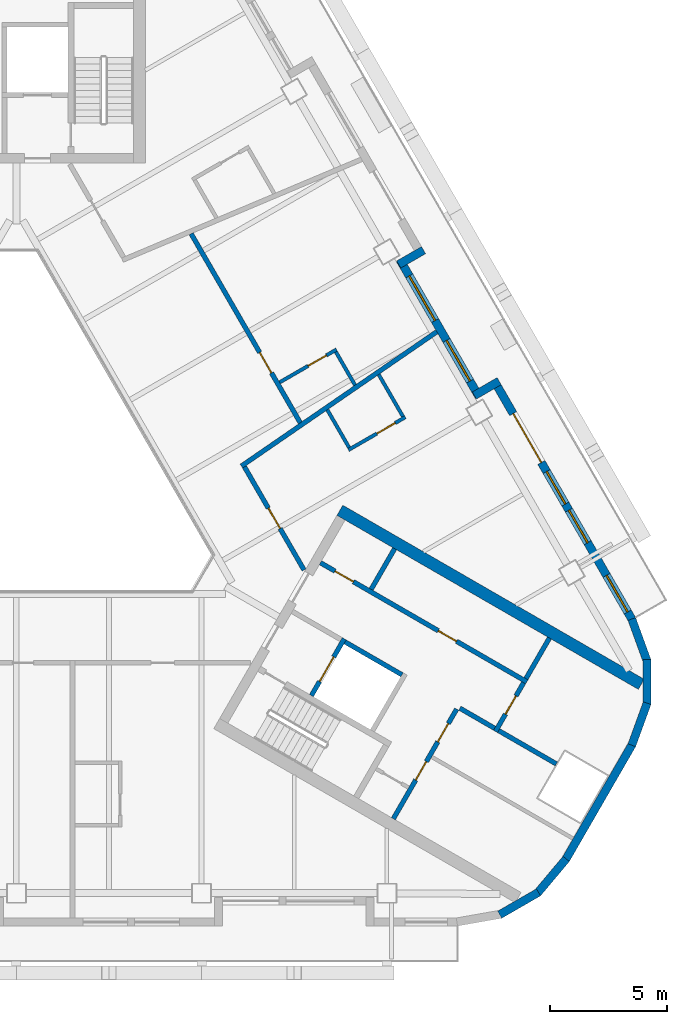
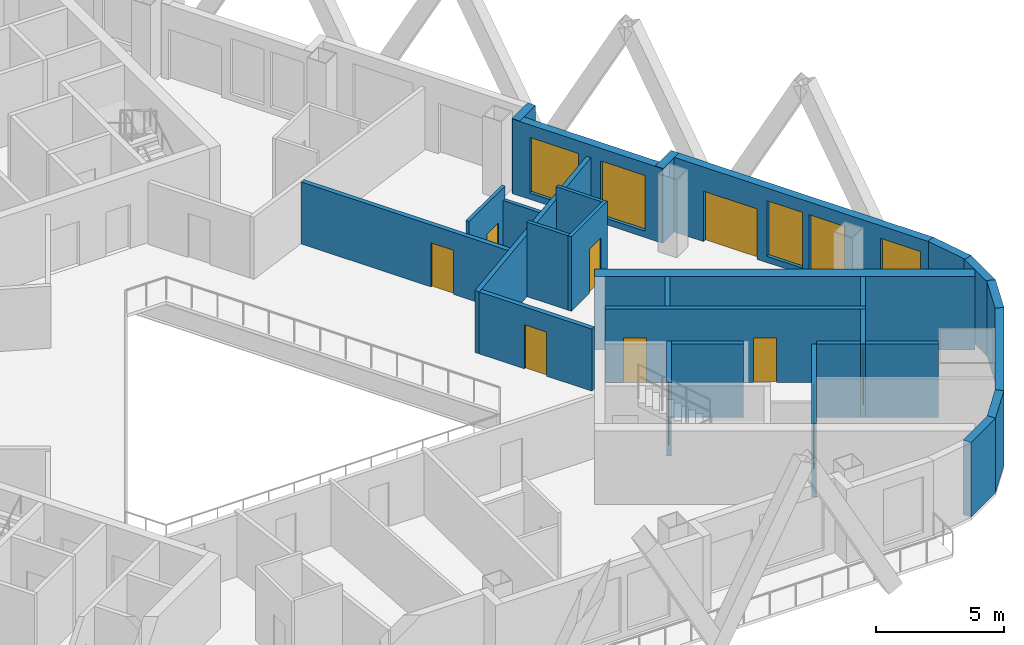
# One storey, part 5 of 13: 28 walls, 11 doors, 5 windows, 16 openings.
"""IFC4 building model written with IfcOpenShell, lengths in metres."""

from ifc_helpers import new_model, si_unit, direction, frame, frame_2d, origin, place, context, subcontext, project, spatial, rectangle, extrude, material, layer, layer_set, type_object, element, fill, save


model = new_model("IFC4")

# Units and contexts
model_context = context("Model", 3, precision=1e-05, world=origin(), true_north=direction((0.0, 1.0)))
body_context = subcontext(model_context, "Body", "Model", "MODEL_VIEW")
ifc_project = project(units=[si_unit("LENGTHUNIT", "METRE"), si_unit("AREAUNIT", "SQUARE_METRE"), si_unit("VOLUMEUNIT", "CUBIC_METRE"), si_unit("PLANEANGLEUNIT", "RADIAN"), si_unit("MASSUNIT", "GRAM", prefix="KILO")], contexts=[model_context])

# Site, building, storey
site_placement = place(None, origin())
site = spatial("IfcSite", under=ifc_project, at=site_placement, CompositionType="ELEMENT")
building_placement = place(site_placement, origin())
building = spatial("IfcBuilding", under=site, at=building_placement, Name="Apuvela Tower Hotel", CompositionType="ELEMENT")
storey_placement = place(building_placement, frame((0.0, 0.0, 161.39990234375)))
storey = spatial("IfcBuildingStorey", under=building, at=storey_placement, Name="L38", CompositionType="ELEMENT", Elevation=161.39990234375)

# Wall
ifc_material_1 = material(Name="Concrete C50/60", Category="concrete")
ifc_layer_1 = layer(ifc_material_1, 0.5)
ifc_layer_set_1 = layer_set([ifc_layer_1], Name="COR-WALL-CORE-500")
wall_type_1 = type_object("IfcWallType", Name="COR-WALL-CORE-500", PredefinedType="SHEAR", material=ifc_layer_set_1)
wall_1_placement = place(storey_placement, frame((13.796630859375, -1.9033203125, 0.0), z_axis=(0.0, 0.0, 1.0), x_axis=(0.866025009528, -0.500000682871, 0.0)))
element("IfcWall", 1, at=wall_1_placement, inside=storey, type_object=wall_type_1, Name="Core wall SE", PredefinedType="SHEAR", context=body_context, shape_type="SweptSolid", body=[
    extrude(rectangle(XDim=14.8369140625, YDim=0.5, at=frame_2d((7.41845703125, 0.0))), origin(), (0.0, 0.0, 1.0), 3.5),
])

# Wall, openings, doors
ifc_material_2 = material(Name="Blockwork 200 mm plastered", Category="masonry")
ifc_layer_2 = layer(ifc_material_2, 0.199951171875)
ifc_layer_set_2 = layer_set([ifc_layer_2], Name="COR-WALL-PART-200")
wall_type_2 = type_object("IfcWallType", Name="COR-WALL-PART-200", PredefinedType="PARTITIONING", material=ifc_layer_set_2)
wall_2_placement = place(storey_placement, frame((16.076171875, -15.05517578125, 0.0), z_axis=(0.0, 0.0, 1.0), x_axis=(0.499995103361, 0.866028230842, 0.0)))
wall_2 = element("IfcWall", 2, at=wall_2_placement, inside=storey, type_object=wall_type_2, Name="Partition SE", PredefinedType="PARTITIONING", context=body_context, shape_type="SweptSolid", body=[
    extrude(rectangle(XDim=5.39990234375, YDim=0.199951171875, at=frame_2d((2.699951171875, 0.0))), origin(), (0.0, 0.0, 1.0), 3.5),
])
opening_1_placement = place(wall_2_placement, frame((1.91259765625, 0.0, 0.0)))
opening_1 = element("IfcOpeningElement", 3, at=opening_1_placement, cuts=wall_2, Name="Opening E-RS1", PredefinedType="OPENING", context=body_context, shape_type="SweptSolid", body=[
    extrude(rectangle(XDim=0.89990234375, YDim=2.10009765625, at=frame_2d((0.449951171875, 1.050048828125))), frame((0.0, 0.10986328125, 0.0), z_axis=(0.0, -1.0, 0.0), x_axis=(1.0, 0.0, 0.0)), (0.0, 0.0, 1.0), 0.219970703125),
])
opening_2_placement = place(wall_2_placement, frame((3.78759765625, 0.0, 0.0)))
opening_2 = element("IfcOpeningElement", 4, at=opening_2_placement, cuts=wall_2, Name="Opening E-RS2", PredefinedType="OPENING", context=body_context, shape_type="SweptSolid", body=[
    extrude(rectangle(XDim=0.89990234375, YDim=2.10009765625, at=frame_2d((0.449951171875, 1.050048828125))), frame((0.0, 0.10986328125, 0.0), z_axis=(0.0, -1.0, 0.0), x_axis=(1.0, 0.0, 0.0)), (0.0, 0.0, 1.0), 0.219970703125),
])
ifc_material_3 = material(Name="Steel fire door, powder coated", Category="steel")
door_type_1 = type_object("IfcDoorType", Name="COR-DR-900", OperationType="NOTDEFINED", PredefinedType="DOOR", material=ifc_material_3)
door_1_placement = place(opening_1_placement, frame((0.89990234375, 0.0, 0.0), z_axis=(0.0, 0.0, 1.0), x_axis=(-1.0, 0.0, 0.0)))
door_1 = element("IfcDoor", 5, at=door_1_placement, inside=storey, type_object=door_type_1, Name="Store door E-RS1", OperationType="SINGLE_SWING_LEFT", OverallHeight=2.10009765625, OverallWidth=0.89990234375, PredefinedType="DOOR", context=body_context, shape_type="SweptSolid", body=[
    extrude(rectangle(XDim=0.89990234375, YDim=2.10009765625, at=frame_2d((0.449951171875, 1.050048828125))), frame((0.0, 0.02490234375, 0.0), z_axis=(0.0, -1.0, 0.0), x_axis=(1.0, 0.0, 0.0)), (0.0, 0.0, 1.0), 0.050048828125),
])
fill(opening_1, door_1)
door_2_placement = place(opening_2_placement, frame((0.89990234375, 0.0, 0.0), z_axis=(0.0, 0.0, 1.0), x_axis=(-1.0, 0.0, 0.0)))
door_2 = element("IfcDoor", 6, at=door_2_placement, inside=storey, type_object=door_type_1, Name="Store door E-RS2", OperationType="SINGLE_SWING_LEFT", OverallHeight=2.10009765625, OverallWidth=0.89990234375, PredefinedType="DOOR", context=body_context, shape_type="SweptSolid", body=[
    extrude(rectangle(XDim=0.89990234375, YDim=2.10009765625, at=frame_2d((0.449951171875, 1.050048828125))), frame((0.0, 0.02490234375, 0.0), z_axis=(0.0, -1.0, 0.0), x_axis=(1.0, 0.0, 0.0)), (0.0, 0.0, 1.0), 0.050048828125),
])
fill(opening_2, door_2)

# Wall, opening, door
ifc_layer_3 = layer(ifc_material_1, 0.199951171875)
ifc_layer_set_3 = layer_set([ifc_layer_3], Name="COR-WALL-SHAFT-200")
wall_type_3 = type_object("IfcWallType", Name="COR-WALL-SHAFT-200", PredefinedType="SHEAR", material=ifc_layer_set_3)
wall_3_placement = place(storey_placement, frame((12.583251953125, -9.805419921875, 0.0), z_axis=(0.0, 0.0, 1.0), x_axis=(0.49994636267, 0.866056369097, 0.0)))
wall_3 = element("IfcWall", 7, at=wall_3_placement, inside=storey, type_object=wall_type_3, Name="Shaft wall SE", PredefinedType="SHEAR", context=body_context, shape_type="SweptSolid", body=[
    extrude(rectangle(XDim=2.800048828125, YDim=0.199951171875, at=frame_2d((1.39990234375, 0.0))), origin(), (0.0, 0.0, 1.0), 3.5),
])
opening_3_placement = place(wall_3_placement, frame((0.699951171875, 0.0, 0.0)))
opening_3 = element("IfcOpeningElement", 8, at=opening_3_placement, cuts=wall_3, Name="Opening E-LD-FS3", PredefinedType="OPENING", context=body_context, shape_type="SweptSolid", body=[
    extrude(rectangle(XDim=1.199951171875, YDim=2.10009765625, at=frame_2d((0.60009765625, 1.050048828125))), frame((0.0, 0.10986328125, 0.0), z_axis=(0.0, -1.0, 0.0), x_axis=(1.0, 0.0, 0.0)), (0.0, 0.0, 1.0), 0.219970703125),
])
ifc_material_4 = material(Name="Stainless steel lift landing door", Category="steel")
door_type_2 = type_object("IfcDoorType", Name="COR-LD-1200", OperationType="DOUBLE_DOOR_SLIDING", PredefinedType="DOOR", material=ifc_material_4)
door_3_placement = place(opening_3_placement, origin())
door_3 = element("IfcDoor", 9, at=door_3_placement, inside=storey, type_object=door_type_2, Name="Lift landing door E-LD-FS3", OperationType="DOUBLE_DOOR_SLIDING", OverallHeight=2.10009765625, OverallWidth=1.199951171875, PredefinedType="DOOR", context=body_context, shape_type="SweptSolid", body=[
    extrude(rectangle(XDim=1.199951171875, YDim=2.10009765625, at=frame_2d((0.60009765625, 1.050048828125))), frame((0.0, 0.02490234375, 0.0), z_axis=(0.0, -1.0, 0.0), x_axis=(1.0, 0.0, 0.0)), (0.0, 0.0, 1.0), 0.050048828125),
])
fill(opening_3, door_3)

# Wall
wall_4_placement = place(storey_placement, frame((14.019775390625, -7.51708984375, 0.0), z_axis=(0.0, 0.0, 1.0), x_axis=(0.866034573852, -0.49998411664, 0.0)))
element("IfcWall", 10, at=wall_4_placement, inside=storey, type_object=wall_type_3, Name="Shaft wall SE", PredefinedType="SHEAR", context=body_context, shape_type="SweptSolid", body=[
    extrude(rectangle(XDim=2.7998046875, YDim=0.199951171875, at=frame_2d((1.39990234375, 0.0))), origin(), (0.0, 0.0, 1.0), 3.5),
])

# Wall, openings, doors
wall_5_placement = place(storey_placement, frame((12.968017578125, -4.138427734375, 0.0), z_axis=(0.0, 0.0, 1.0), x_axis=(0.866028328073, -0.49999493495, 0.0)))
wall_5 = element("IfcWall", 11, at=wall_5_placement, inside=storey, type_object=wall_type_3, Name="Shaft wall SE", PredefinedType="SHEAR", context=body_context, shape_type="SweptSolid", body=[
    extrude(rectangle(XDim=10.16015625, YDim=0.199951171875, at=frame_2d((5.080078125, 0.0))), origin(), (0.0, 0.0, 1.0), 3.5),
])
opening_4_placement = place(wall_5_placement, frame((0.719970703125, 0.0, 0.0)))
opening_4 = element("IfcOpeningElement", 12, at=opening_4_placement, cuts=wall_5, Name="Opening E-RE1", PredefinedType="OPENING", context=body_context, shape_type="SweptSolid", body=[
    extrude(rectangle(XDim=0.89990234375, YDim=2.10009765625, at=frame_2d((0.449951171875, 1.050048828125))), frame((0.0, 0.10986328125, 0.0), z_axis=(0.0, -1.0, 0.0), x_axis=(1.0, 0.0, 0.0)), (0.0, 0.0, 1.0), 0.219970703125),
])
opening_5_placement = place(wall_5_placement, frame((5.800048828125, 0.0, 0.0)))
opening_5 = element("IfcOpeningElement", 13, at=opening_5_placement, cuts=wall_5, Name="Opening E-RE2", PredefinedType="OPENING", context=body_context, shape_type="SweptSolid", body=[
    extrude(rectangle(XDim=0.89990234375, YDim=2.10009765625, at=frame_2d((0.449951171875, 1.050048828125))), frame((0.0, 0.10986328125, 0.0), z_axis=(0.0, -1.0, 0.0), x_axis=(1.0, 0.0, 0.0)), (0.0, 0.0, 1.0), 0.219970703125),
])
door_4_placement = place(opening_4_placement, origin())
door_4 = element("IfcDoor", 14, at=door_4_placement, inside=storey, type_object=door_type_1, Name="Store door E-RE1", OperationType="SINGLE_SWING_LEFT", OverallHeight=2.10009765625, OverallWidth=0.89990234375, PredefinedType="DOOR", context=body_context, shape_type="SweptSolid", body=[
    extrude(rectangle(XDim=0.89990234375, YDim=2.10009765625, at=frame_2d((0.449951171875, 1.050048828125))), frame((0.0, 0.02490234375, 0.0), z_axis=(0.0, -1.0, 0.0), x_axis=(1.0, 0.0, 0.0)), (0.0, 0.0, 1.0), 0.050048828125),
])
fill(opening_4, door_4)
door_5_placement = place(opening_5_placement, origin())
door_5 = element("IfcDoor", 15, at=door_5_placement, inside=storey, type_object=door_type_1, Name="Store door E-RE2", OperationType="SINGLE_SWING_LEFT", OverallHeight=2.10009765625, OverallWidth=0.89990234375, PredefinedType="DOOR", context=body_context, shape_type="SweptSolid", body=[
    extrude(rectangle(XDim=0.89990234375, YDim=2.10009765625, at=frame_2d((0.449951171875, 1.050048828125))), frame((0.0, 0.02490234375, 0.0), z_axis=(0.0, -1.0, 0.0), x_axis=(1.0, 0.0, 0.0)), (0.0, 0.0, 1.0), 0.050048828125),
])
fill(opening_5, door_5)

# Wall, opening, door
wall_6_placement = place(storey_placement, frame((20.430419921875, -11.33349609375, 0.0), z_axis=(0.0, 0.0, 1.0), x_axis=(0.500001309137, 0.866024647952, 0.0)))
wall_6 = element("IfcWall", 16, at=wall_6_placement, inside=storey, type_object=wall_type_3, Name="Shaft wall SE", PredefinedType="SHEAR", context=body_context, shape_type="SweptSolid", body=[
    extrude(rectangle(XDim=2.39990234375, YDim=0.199951171875, at=frame_2d((1.199951171875, 0.0))), origin(), (0.0, 0.0, 1.0), 3.5),
])
opening_6_placement = place(wall_6_placement, frame((0.85009765625, 0.0, 0.0)))
opening_6 = element("IfcOpeningElement", 17, at=opening_6_placement, cuts=wall_6, Name="Opening E-REP", PredefinedType="OPENING", context=body_context, shape_type="SweptSolid", body=[
    extrude(rectangle(XDim=0.89990234375, YDim=2.10009765625, at=frame_2d((0.449951171875, 1.050048828125))), frame((0.0, 0.10986328125, 0.0), z_axis=(0.0, -1.0, 0.0), x_axis=(1.0, 0.0, 0.0)), (0.0, 0.0, 1.0), 0.219970703125),
])
door_6_placement = place(opening_6_placement, frame((0.89990234375, 0.0, 0.0), z_axis=(0.0, 0.0, 1.0), x_axis=(-1.0, 0.0, 0.0)))
door_6 = element("IfcDoor", 18, at=door_6_placement, inside=storey, type_object=door_type_1, Name="Store door E-REP", OperationType="SINGLE_SWING_RIGHT", OverallHeight=2.10009765625, OverallWidth=0.89990234375, PredefinedType="DOOR", context=body_context, shape_type="SweptSolid", body=[
    extrude(rectangle(XDim=0.89990234375, YDim=2.10009765625, at=frame_2d((0.449951171875, 1.050048828125))), frame((0.0, 0.02490234375, 0.0), z_axis=(0.0, -1.0, 0.0), x_axis=(1.0, 0.0, 0.0)), (0.0, 0.0, 1.0), 0.050048828125),
])
fill(opening_6, door_6)

# Walls
wall_7_placement = place(storey_placement, frame((18.912841796875, -10.342041015625, 0.0), z_axis=(0.0, 0.0, 1.0), x_axis=(0.866038183914, -0.499977863513, 0.0)))
element("IfcWall", 19, at=wall_7_placement, inside=storey, type_object=wall_type_3, Name="Shaft wall SE", PredefinedType="SHEAR", context=body_context, shape_type="SweptSolid", body=[
    extrude(rectangle(XDim=1.7099609375, YDim=0.199951171875, at=frame_2d((0.85498046875, 0.0))), origin(), (0.0, 0.0, 1.0), 3.5),
])
for number, where, z_axis, x_axis, name in (
    (20, (15.131103515625, -5.27197265625, 0.0), (0.0, 0.0, 1.0), (0.499972520799, 0.866041268327, 0.0), "Shaft wall SE"),
    (21, (21.73046875, -9.081787109375, 0.0), (0.0, 0.0, 1.0), (0.50002537861, 0.866010750942, 0.0), "Shaft wall SE"),
):
    element("IfcWall", number, at=place(storey_placement, frame(where, z_axis=z_axis, x_axis=x_axis)), inside=storey, type_object=wall_type_3, Name=name, PredefinedType="SHEAR", context=body_context, shape_type="SweptSolid", body=[
        extrude(rectangle(XDim=2.0, YDim=0.199951171875, at=frame_2d((1.0, 0.0))), origin(), (0.0, 0.0, 1.0), 3.5),
    ])
wall_8_placement = place(storey_placement, frame((20.56689453125, -11.297119140625, 0.0), z_axis=(0.0, 0.0, 1.0), x_axis=(0.866055327414, -0.49994816717, 0.0)))
element("IfcWall", 22, at=wall_8_placement, inside=storey, type_object=wall_type_3, Name="Shaft wall SE", PredefinedType="SHEAR", context=body_context, shape_type="SweptSolid", body=[
    extrude(rectangle(XDim=2.840087890625, YDim=0.199951171875, at=frame_2d((1.419921875, 0.0))), origin(), (0.0, 0.0, 1.0), 3.5),
])
ifc_material_5 = material(Name="Concrete C40/50, dark pigmented precast panel", Category="concrete")
ifc_layer_4 = layer(ifc_material_5, 0.35009765625)
ifc_layer_set_4 = layer_set([ifc_layer_4], Name="ENV-WALL-350")
wall_type_4 = type_object("IfcWallType", Name="ENV-WALL-350", PredefinedType="SOLIDWALL", material=ifc_layer_set_4)
for number, where, z_axis, x_axis, name in (
    (23, (20.609619140625, -19.146728515625, 0.0), (0.0, 0.0, 1.0), (0.866000389056, 0.500043324278, 0.0), "External wall L38-27"),
    (24, (22.21728515625, -18.230712890625, 0.0), (0.0, 0.0, 1.0), (0.642733291068, 0.76609001857, 0.0), "External wall L38-28"),
):
    element("IfcWall", number, at=place(storey_placement, frame(where, z_axis=z_axis, x_axis=x_axis)), inside=storey, type_object=wall_type_4, Name=name, PredefinedType="SOLIDWALL", context=body_context, shape_type="SweptSolid", body=[
        extrude(rectangle(XDim=1.909912109375, YDim=0.35009765625, at=frame_2d((0.955078125, 0.0))), origin(), (0.0, 0.0, 1.0), 3.550048828125),
    ])
wall_9_placement = place(storey_placement, frame((23.427490234375, -16.79248046875, 0.0), z_axis=(0.0, 0.0, 1.0), x_axis=(0.500018773155, 0.866014564827, 0.0)))
element("IfcWall", 25, at=wall_9_placement, inside=storey, type_object=wall_type_4, Name="External wall L38-29", PredefinedType="SOLIDWALL", context=body_context, shape_type="SweptSolid", body=[
    extrude(rectangle(XDim=5.657958984375, YDim=0.35009765625, at=frame_2d((2.8291015625, 0.0))), origin(), (0.0, 0.0, 1.0), 3.550048828125),
])
for number, where, z_axis, x_axis, name in (
    (26, (26.24365234375, -11.920166015625, 0.0), (0.0, 0.0, 1.0), (0.342030395486, 0.939688889242, 0.0), "External wall L38-30"),
    (27, (26.88623046875, -10.18505859375, 0.0), (0.0, 0.0, 1.0), (0.0, 1.0, 0.0), "External wall L38-31"),
    (28, (26.89697265625, -8.334716796875, 0.0), (0.0, 0.0, 1.0), (-0.342030395486, 0.939688889242, 0.0), "External wall L38-32"),
):
    element("IfcWall", number, at=place(storey_placement, frame(where, z_axis=z_axis, x_axis=x_axis)), inside=storey, type_object=wall_type_4, Name=name, PredefinedType="SOLIDWALL", context=body_context, shape_type="SweptSolid", body=[
        extrude(rectangle(XDim=1.91015625, YDim=0.35009765625, at=frame_2d((0.955078125, 0.0))), origin(), (0.0, 0.0, 1.0), 3.550048828125),
    ])

# Wall, openings, door, windows
wall_10_placement = place(storey_placement, frame((26.256591796875, -6.5673828125, 0.0), z_axis=(0.0, 0.0, 1.0), x_axis=(-0.500023526245, 0.866011820475, 0.0)))
wall_10 = element("IfcWall", 29, at=wall_10_placement, inside=storey, type_object=wall_type_4, Name="External wall L38-33", PredefinedType="SOLIDWALL", context=body_context, shape_type="SweptSolid", body=[
    extrude(rectangle(XDim=11.81591796875, YDim=0.35009765625, at=frame_2d((5.907958984375, 0.0))), origin(), (0.0, 0.0, 1.0), 3.550048828125),
])
opening_7_placement = place(wall_10_placement, frame((0.380126953125, 0.0, 0.300048828125)))
opening_7 = element("IfcOpeningElement", 30, at=opening_7_placement, cuts=wall_10, Name="Opening WN18", PredefinedType="OPENING", context=body_context, shape_type="SweptSolid", body=[
    extrude(rectangle(XDim=1.800048828125, YDim=2.64990234375, at=frame_2d((0.89990234375, 1.324951171875))), frame((0.0, 0.18505859375, 0.0), z_axis=(0.0, -1.0, 0.0), x_axis=(1.0, 0.0, 0.0)), (0.0, 0.0, 1.0), 0.3701171875),
])
opening_8_placement = place(wall_10_placement, frame((7.7412109375, 0.0, 0.0)))
opening_8 = element("IfcOpeningElement", 31, at=opening_8_placement, cuts=wall_10, Name="Opening BD24", PredefinedType="OPENING", context=body_context, shape_type="SweptSolid", body=[
    extrude(rectangle(XDim=2.39990234375, YDim=2.39990234375, at=frame_2d((1.199951171875, 1.199951171875))), frame((0.0, 0.18505859375, 0.0), z_axis=(0.0, -1.0, 0.0), x_axis=(1.0, 0.0, 0.0)), (0.0, 0.0, 1.0), 0.3701171875),
])
opening_9_placement = place(wall_10_placement, frame((3.791015625, 0.0, 0.300048828125)))
opening_9 = element("IfcOpeningElement", 32, at=opening_9_placement, cuts=wall_10, Name="Opening WN16", PredefinedType="OPENING", context=body_context, shape_type="SweptSolid", body=[
    extrude(rectangle(XDim=1.60009765625, YDim=2.64990234375, at=frame_2d((0.800048828125, 1.324951171875))), frame((0.0, 0.18505859375, 0.0), z_axis=(0.0, -1.0, 0.0), x_axis=(1.0, 0.0, 0.0)), (0.0, 0.0, 1.0), 0.3701171875),
])
opening_10_placement = place(wall_10_placement, frame((5.69091796875, 0.0, 0.300048828125)))
opening_10 = element("IfcOpeningElement", 33, at=opening_10_placement, cuts=wall_10, Name="Opening WN16", PredefinedType="OPENING", context=body_context, shape_type="SweptSolid", body=[
    extrude(rectangle(XDim=1.60009765625, YDim=2.64990234375, at=frame_2d((0.800048828125, 1.324951171875))), frame((0.0, 0.18505859375, 0.0), z_axis=(0.0, -1.0, 0.0), x_axis=(1.0, 0.0, 0.0)), (0.0, 0.0, 1.0), 0.3701171875),
])
ifc_material_6 = material(Name="Aluminium 6063-T6, dark bronze anodised frame with dark tinted laminated glass", Category="aluminium")
door_type_3 = type_object("IfcDoorType", Name="ENV-DOOR-BALCONY-2400x2400", OperationType="SLIDING_TO_LEFT", PredefinedType="DOOR", material=ifc_material_6)
door_7_placement = place(opening_8_placement, frame((2.39990234375, 0.0, 0.0), z_axis=(0.0, 0.0, 1.0), x_axis=(-1.0, 0.0, 0.0)))
door_7 = element("IfcDoor", 34, at=door_7_placement, inside=storey, type_object=door_type_3, Name="Balcony door BD24", OperationType="SLIDING_TO_LEFT", OverallHeight=2.39990234375, OverallWidth=2.39990234375, PredefinedType="DOOR", context=body_context, shape_type="SweptSolid", body=[
    extrude(rectangle(XDim=2.39990234375, YDim=2.39990234375, at=frame_2d((1.199951171875, 1.199951171875))), frame((0.0, 0.02490234375, 0.0), z_axis=(0.0, -1.0, 0.0), x_axis=(1.0, 0.0, 0.0)), (0.0, 0.0, 1.0), 0.050048828125),
])
fill(opening_8, door_7)
ifc_material_7 = material(Name="Glass, dark tinted laminated insulated glazing unit", Category="glass")
window_type_1 = type_object("IfcWindowType", Name="ENV-WIN-1600x2650", PartitioningType="SINGLE_PANEL", PredefinedType="WINDOW", material=ifc_material_7)
window_1_placement = place(opening_9_placement, origin())
window_1 = element("IfcWindow", 35, at=window_1_placement, inside=storey, type_object=window_type_1, Name="Window WN16", OverallHeight=2.64990234375, OverallWidth=1.60009765625, PartitioningType="SINGLE_PANEL", PredefinedType="WINDOW", context=body_context, shape_type="SweptSolid", body=[
    extrude(rectangle(XDim=1.60009765625, YDim=2.64990234375, at=frame_2d((0.800048828125, 1.324951171875))), frame((0.0, 0.030029296875, 0.0), z_axis=(0.0, -1.0, 0.0), x_axis=(1.0, 0.0, 0.0)), (0.0, 0.0, 1.0), 0.06005859375),
])
fill(opening_9, window_1)
window_2_placement = place(opening_10_placement, origin())
window_2 = element("IfcWindow", 36, at=window_2_placement, inside=storey, type_object=window_type_1, Name="Window WN16", OverallHeight=2.64990234375, OverallWidth=1.60009765625, PartitioningType="SINGLE_PANEL", PredefinedType="WINDOW", context=body_context, shape_type="SweptSolid", body=[
    extrude(rectangle(XDim=1.60009765625, YDim=2.64990234375, at=frame_2d((0.800048828125, 1.324951171875))), frame((0.0, 0.030029296875, 0.0), z_axis=(0.0, -1.0, 0.0), x_axis=(1.0, 0.0, 0.0)), (0.0, 0.0, 1.0), 0.06005859375),
])
fill(opening_10, window_2)
window_type_2 = type_object("IfcWindowType", Name="ENV-WIN-1800x2650", PartitioningType="SINGLE_PANEL", PredefinedType="WINDOW", material=ifc_material_7)
window_3_placement = place(opening_7_placement, origin())
window_3 = element("IfcWindow", 37, at=window_3_placement, inside=storey, type_object=window_type_2, Name="Window WN18", OverallHeight=2.64990234375, OverallWidth=1.800048828125, PartitioningType="SINGLE_PANEL", PredefinedType="WINDOW", context=body_context, shape_type="SweptSolid", body=[
    extrude(rectangle(XDim=1.800048828125, YDim=2.64990234375, at=frame_2d((0.89990234375, 1.324951171875))), frame((0.0, 0.030029296875, 0.0), z_axis=(0.0, -1.0, 0.0), x_axis=(1.0, 0.0, 0.0)), (0.0, 0.0, 1.0), 0.06005859375),
])
fill(opening_7, window_3)

# Wall
wall_11_placement = place(storey_placement, frame((20.587646484375, 3.601318359375, 0.0), z_axis=(0.0, 0.0, 1.0), x_axis=(-0.866005645448, -0.500034220881, 0.0)))
element("IfcWall", 38, at=wall_11_placement, inside=storey, type_object=wall_type_4, Name="External wall L38-34", PredefinedType="SOLIDWALL", context=body_context, shape_type="SweptSolid", body=[
    extrude(rectangle(XDim=1.22021484375, YDim=0.35009765625, at=frame_2d((0.610107421875, 0.0))), origin(), (0.0, 0.0, 1.0), 3.550048828125),
])

# Wall, openings, windows
wall_12_placement = place(storey_placement, frame((19.72900390625, 2.93798828125, 0.0), z_axis=(0.0, 0.0, 1.0), x_axis=(-0.499976430342, 0.866039011305, 0.0)))
wall_12 = element("IfcWall", 39, at=wall_12_placement, inside=storey, type_object=wall_type_4, Name="External wall L38-35", PredefinedType="SOLIDWALL", context=body_context, shape_type="SweptSolid", body=[
    extrude(rectangle(XDim=6.739990234375, YDim=0.35009765625, at=frame_2d((3.3701171875, 0.0))), origin(), (0.0, 0.0, 1.0), 3.550048828125),
])
opening_11_placement = place(wall_12_placement, frame((0.77001953125, 0.0, 0.300048828125)))
opening_11 = element("IfcOpeningElement", 40, at=opening_11_placement, cuts=wall_12, Name="Opening WN20", PredefinedType="OPENING", context=body_context, shape_type="SweptSolid", body=[
    extrude(rectangle(XDim=2.0, YDim=2.64990234375, at=frame_2d((1.0, 1.324951171875))), frame((0.0, 0.18505859375, 0.0), z_axis=(0.0, -1.0, 0.0), x_axis=(1.0, 0.0, 0.0)), (0.0, 0.0, 1.0), 0.3701171875),
])
opening_12_placement = place(wall_12_placement, frame((3.748779296875, 0.0, 0.300048828125)))
opening_12 = element("IfcOpeningElement", 41, at=opening_12_placement, cuts=wall_12, Name="Opening WN22", PredefinedType="OPENING", context=body_context, shape_type="SweptSolid", body=[
    extrude(rectangle(XDim=2.199951171875, YDim=2.64990234375, at=frame_2d((1.10009765625, 1.324951171875))), frame((0.0, 0.18505859375, 0.0), z_axis=(0.0, -1.0, 0.0), x_axis=(1.0, 0.0, 0.0)), (0.0, 0.0, 1.0), 0.3701171875),
])
window_type_3 = type_object("IfcWindowType", Name="ENV-WIN-2000x2650", PartitioningType="SINGLE_PANEL", PredefinedType="WINDOW", material=ifc_material_7)
window_4_placement = place(opening_11_placement, origin())
window_4 = element("IfcWindow", 42, at=window_4_placement, inside=storey, type_object=window_type_3, Name="Window WN20", OverallHeight=2.64990234375, OverallWidth=2.0, PartitioningType="SINGLE_PANEL", PredefinedType="WINDOW", context=body_context, shape_type="SweptSolid", body=[
    extrude(rectangle(XDim=2.0, YDim=2.64990234375, at=frame_2d((1.0, 1.324951171875))), frame((0.0, 0.030029296875, 0.0), z_axis=(0.0, -1.0, 0.0), x_axis=(1.0, 0.0, 0.0)), (0.0, 0.0, 1.0), 0.06005859375),
])
fill(opening_11, window_4)
window_type_4 = type_object("IfcWindowType", Name="ENV-WIN-2200x2650", PartitioningType="SINGLE_PANEL", PredefinedType="WINDOW", material=ifc_material_7)
window_5_placement = place(opening_12_placement, origin())
window_5 = element("IfcWindow", 43, at=window_5_placement, inside=storey, type_object=window_type_4, Name="Window WN22", OverallHeight=2.64990234375, OverallWidth=2.199951171875, PartitioningType="SINGLE_PANEL", PredefinedType="WINDOW", context=body_context, shape_type="SweptSolid", body=[
    extrude(rectangle(XDim=2.199951171875, YDim=2.64990234375, at=frame_2d((1.10009765625, 1.324951171875))), frame((0.0, 0.030029296875, 0.0), z_axis=(0.0, -1.0, 0.0), x_axis=(1.0, 0.0, 0.0)), (0.0, 0.0, 1.0), 0.06005859375),
])
fill(opening_12, window_5)

# Walls
wall_13_placement = place(storey_placement, frame((16.305908203125, 8.5771484375, 0.0), z_axis=(0.0, 0.0, 1.0), x_axis=(0.866092288191, 0.499884134912, 0.0)))
element("IfcWall", 44, at=wall_13_placement, inside=storey, type_object=wall_type_4, Name="External wall L38-36", PredefinedType="SOLIDWALL", context=body_context, shape_type="SweptSolid", body=[
    extrude(rectangle(XDim=1.219970703125, YDim=0.35009765625, at=frame_2d((0.60986328125, 0.0))), origin(), (0.0, 0.0, 1.0), 3.550048828125),
])
ifc_material_8 = material(Name="Gypsum board partition on twin steel stud", Category="steel")
ifc_layer_5 = layer(ifc_material_8, 0.199951171875)
ifc_layer_set_5 = layer_set([ifc_layer_5], Name="GST-PW1")
wall_type_5 = type_object("IfcWallType", Name="GST-PW1", PredefinedType="PARTITIONING", material=ifc_layer_set_5)
wall_14_placement = place(storey_placement, frame((17.927978515625, 5.707763671875, 0.0), z_axis=(0.0, 0.0, 1.0), x_axis=(-0.824041924199, -0.566528822887, 0.0)))
element("IfcWall", 45, at=wall_14_placement, inside=storey, type_object=wall_type_5, Name="L38 partition 03", PredefinedType="PARTITIONING", context=body_context, shape_type="SweptSolid", body=[
    extrude(rectangle(XDim=10.111083984375, YDim=0.199951171875, at=frame_2d((5.0556640625, 0.0))), origin(), (0.0, 0.0, 1.0), 2.9501953125),
])

# Wall, opening, door
ifc_material_9 = material(Name="Gypsum board corridor wall on twin steel stud, acoustic", Category="steel")
ifc_layer_6 = layer(ifc_material_9, 0.199951171875)
ifc_layer_set_6 = layer_set([ifc_layer_6], Name="GST-PW2")
wall_type_6 = type_object("IfcWallType", Name="GST-PW2", PredefinedType="PARTITIONING", material=ifc_layer_set_6)
wall_15_placement = place(storey_placement, frame((9.728759765625, -0.050537109375, 0.0), z_axis=(0.0, 0.0, 1.0), x_axis=(0.500005339912, -0.866022320763, 0.0)))
wall_15 = element("IfcWall", 46, at=wall_15_placement, inside=storey, type_object=wall_type_6, Name="L38 partition 18", PredefinedType="PARTITIONING", context=body_context, shape_type="SweptSolid", body=[
    extrude(rectangle(XDim=5.080078125, YDim=0.199951171875, at=frame_2d((2.5400390625, 0.0))), origin(), (0.0, 0.0, 1.0), 2.9501953125),
])
opening_13_placement = place(wall_15_placement, frame((2.0400390625, 0.0, 0.0)))
opening_13 = element("IfcOpeningElement", 47, at=opening_13_placement, cuts=wall_15, Name="Opening GD14-08", PredefinedType="OPENING", context=body_context, shape_type="SweptSolid", body=[
    extrude(rectangle(XDim=1.0, YDim=2.10009765625, at=frame_2d((0.5, 1.050048828125))), frame((0.0, 0.10986328125, 0.0), z_axis=(0.0, -1.0, 0.0), x_axis=(1.0, 0.0, 0.0)), (0.0, 0.0, 1.0), 0.219970703125),
])
ifc_material_10 = material(Name="Timber door leaf in steel frame", Category="steel")
door_type_4 = type_object("IfcDoorType", Name="GST-D1", OperationType="NOTDEFINED", PredefinedType="DOOR", material=ifc_material_10)
door_8_placement = place(opening_13_placement, origin())
door_8 = element("IfcDoor", 48, at=door_8_placement, inside=storey, type_object=door_type_4, Name="Door L38-08", OperationType="SINGLE_SWING_LEFT", OverallHeight=2.10009765625, OverallWidth=1.0, PredefinedType="DOOR", context=body_context, shape_type="SweptSolid", body=[
    extrude(rectangle(XDim=1.0, YDim=2.10009765625, at=frame_2d((0.5, 1.050048828125))), frame((0.0, 0.02490234375, 0.0), z_axis=(0.0, -1.0, 0.0), x_axis=(1.0, 0.0, 0.0)), (0.0, 0.0, 1.0), 0.050048828125),
])
fill(opening_13, door_8)

wall_16_placement = place(storey_placement, frame((7.45458984375, 9.88818359375, 0.0), z_axis=(0.0, 0.0, 1.0), x_axis=(0.499995688794, -0.866027892846, 0.0)))
wall_16 = element("IfcWall", 49, at=wall_16_placement, inside=storey, type_object=wall_type_6, Name="L38 partition 22", PredefinedType="PARTITIONING", context=body_context, shape_type="SweptSolid", body=[
    extrude(rectangle(XDim=9.30712890625, YDim=0.199951171875, at=frame_2d((4.653564453125, 0.0))), origin(), (0.0, 0.0, 1.0), 2.9501953125),
])
opening_14_placement = place(wall_16_placement, frame((5.84912109375, 0.0, 0.0)))
opening_14 = element("IfcOpeningElement", 50, at=opening_14_placement, cuts=wall_16, Name="Opening GD14-10", PredefinedType="OPENING", context=body_context, shape_type="SweptSolid", body=[
    extrude(rectangle(XDim=1.0, YDim=2.10009765625, at=frame_2d((0.5, 1.050048828125))), frame((0.0, 0.10986328125, 0.0), z_axis=(0.0, -1.0, 0.0), x_axis=(1.0, 0.0, 0.0)), (0.0, 0.0, 1.0), 0.219970703125),
])
door_9_placement = place(opening_14_placement, origin())
door_9 = element("IfcDoor", 51, at=door_9_placement, inside=storey, type_object=door_type_4, Name="Door L38-10", OperationType="SINGLE_SWING_LEFT", OverallHeight=2.10009765625, OverallWidth=1.0, PredefinedType="DOOR", context=body_context, shape_type="SweptSolid", body=[
    extrude(rectangle(XDim=1.0, YDim=2.10009765625, at=frame_2d((0.5, 1.050048828125))), frame((0.0, 0.02490234375, 0.0), z_axis=(0.0, -1.0, 0.0), x_axis=(1.0, 0.0, 0.0)), (0.0, 0.0, 1.0), 0.050048828125),
])
fill(opening_14, door_9)

ifc_material_11 = material(Name="Moisture-resistant gypsum board wet wall on steel stud", Category="steel")
ifc_layer_7 = layer(ifc_material_11, 0.14990234375)
ifc_layer_set_7 = layer_set([ifc_layer_7], Name="GST-PW3")
wall_type_7 = type_object("IfcWallType", Name="GST-PW3", PredefinedType="PARTITIONING", material=ifc_layer_set_7)
wall_17_placement = place(storey_placement, frame((14.162841796875, 0.669189453125, 0.0), z_axis=(0.0, 0.0, 1.0), x_axis=(0.866056369097, 0.49994636267, 0.0)))
wall_17 = element("IfcWall", 52, at=wall_17_placement, inside=storey, type_object=wall_type_7, Name="L38 partition 19", PredefinedType="PARTITIONING", context=body_context, shape_type="SweptSolid", body=[
    extrude(rectangle(XDim=2.800048828125, YDim=0.14990234375, at=frame_2d((1.39990234375, 0.0))), origin(), (0.0, 0.0, 1.0), 3.550048828125),
])
opening_15_placement = place(wall_17_placement, frame((1.39990234375, 0.0, 0.0)))
opening_15 = element("IfcOpeningElement", 53, at=opening_15_placement, cuts=wall_17, Name="Opening GD14-07", PredefinedType="OPENING", context=body_context, shape_type="SweptSolid", body=[
    extrude(rectangle(XDim=0.89990234375, YDim=2.10009765625, at=frame_2d((0.449951171875, 1.050048828125))), frame((0.0, 0.0849609375, 0.0), z_axis=(0.0, -1.0, 0.0), x_axis=(1.0, 0.0, 0.0)), (0.0, 0.0, 1.0), 0.169921875),
])
door_type_5 = type_object("IfcDoorType", Name="GST-D2", OperationType="NOTDEFINED", PredefinedType="DOOR", material=ifc_material_10)
door_10_placement = place(opening_15_placement, origin())
door_10 = element("IfcDoor", 54, at=door_10_placement, inside=storey, type_object=door_type_5, Name="Door L38-07", OperationType="SINGLE_SWING_RIGHT", OverallHeight=2.10009765625, OverallWidth=0.89990234375, PredefinedType="DOOR", context=body_context, shape_type="SweptSolid", body=[
    extrude(rectangle(XDim=0.89990234375, YDim=2.10009765625, at=frame_2d((0.449951171875, 1.050048828125))), frame((0.0, 0.02490234375, 0.0), z_axis=(0.0, -1.0, 0.0), x_axis=(1.0, 0.0, 0.0)), (0.0, 0.0, 1.0), 0.050048828125),
])
fill(opening_15, door_10)

# Walls
wall_18_placement = place(storey_placement, frame((16.4853515625, 2.096435546875, 0.0), z_axis=(0.0, 0.0, 1.0), x_axis=(-0.499991955492, 0.866030048233, 0.0)))
element("IfcWall", 55, at=wall_18_placement, inside=storey, type_object=wall_type_7, Name="L38 partition 20", PredefinedType="PARTITIONING", context=body_context, shape_type="SweptSolid", body=[
    extrude(rectangle(XDim=2.06494140625, YDim=0.14990234375, at=frame_2d((1.032470703125, 0.0))), origin(), (0.0, 0.0, 1.0), 3.550048828125),
])
wall_19_placement = place(storey_placement, frame((14.1904296875, 0.771484375, 0.0), z_axis=(0.0, 0.0, 1.0), x_axis=(-0.499972951856, 0.866041019474, 0.0)))
element("IfcWall", 56, at=wall_19_placement, inside=storey, type_object=wall_type_7, Name="L38 partition 21", PredefinedType="PARTITIONING", context=body_context, shape_type="SweptSolid", body=[
    extrude(rectangle(XDim=1.85595703125, YDim=0.14990234375, at=frame_2d((0.927978515625, 0.0))), origin(), (0.0, 0.0, 1.0), 3.550048828125),
])

# Wall, opening, door
wall_20_placement = place(storey_placement, frame((13.6533203125, 4.951904296875, 0.0), z_axis=(0.0, 0.0, 1.0), x_axis=(-0.866034573852, -0.49998411664, 0.0)))
wall_20 = element("IfcWall", 57, at=wall_20_placement, inside=storey, type_object=wall_type_7, Name="L38 partition 23", PredefinedType="PARTITIONING", context=body_context, shape_type="SweptSolid", body=[
    extrude(rectangle(XDim=2.7998046875, YDim=0.14990234375, at=frame_2d((1.39990234375, 0.0))), origin(), (0.0, 0.0, 1.0), 3.550048828125),
])
opening_16_placement = place(wall_20_placement, frame((0.5, 0.0, 0.0)))
opening_16 = element("IfcOpeningElement", 58, at=opening_16_placement, cuts=wall_20, Name="Opening GD14-09", PredefinedType="OPENING", context=body_context, shape_type="SweptSolid", body=[
    extrude(rectangle(XDim=0.89990234375, YDim=2.10009765625, at=frame_2d((0.449951171875, 1.050048828125))), frame((0.0, 0.0849609375, 0.0), z_axis=(0.0, -1.0, 0.0), x_axis=(1.0, 0.0, 0.0)), (0.0, 0.0, 1.0), 0.169921875),
])
door_11_placement = place(opening_16_placement, origin())
door_11 = element("IfcDoor", 59, at=door_11_placement, inside=storey, type_object=door_type_5, Name="Door L38-09", OperationType="SINGLE_SWING_LEFT", OverallHeight=2.10009765625, OverallWidth=0.89990234375, PredefinedType="DOOR", context=body_context, shape_type="SweptSolid", body=[
    extrude(rectangle(XDim=0.89990234375, YDim=2.10009765625, at=frame_2d((0.449951171875, 1.050048828125))), frame((0.0, 0.02490234375, 0.0), z_axis=(0.0, -1.0, 0.0), x_axis=(1.0, 0.0, 0.0)), (0.0, 0.0, 1.0), 0.050048828125),
])
fill(opening_16, door_11)

# Wall
wall_21_placement = place(storey_placement, frame((14.443359375, 3.433349609375, 0.0), z_axis=(0.0, 0.0, 1.0), x_axis=(-0.499976608306, 0.866038908564, 0.0)))
element("IfcWall", 60, at=wall_21_placement, inside=storey, type_object=wall_type_7, Name="L38 partition 24", PredefinedType="PARTITIONING", context=body_context, shape_type="SweptSolid", body=[
    extrude(rectangle(XDim=1.63525390625, YDim=0.14990234375, at=frame_2d((0.817626953125, 0.0))), origin(), (0.0, 0.0, 1.0), 2.9501953125),
])

save(model, "model.ifc")
